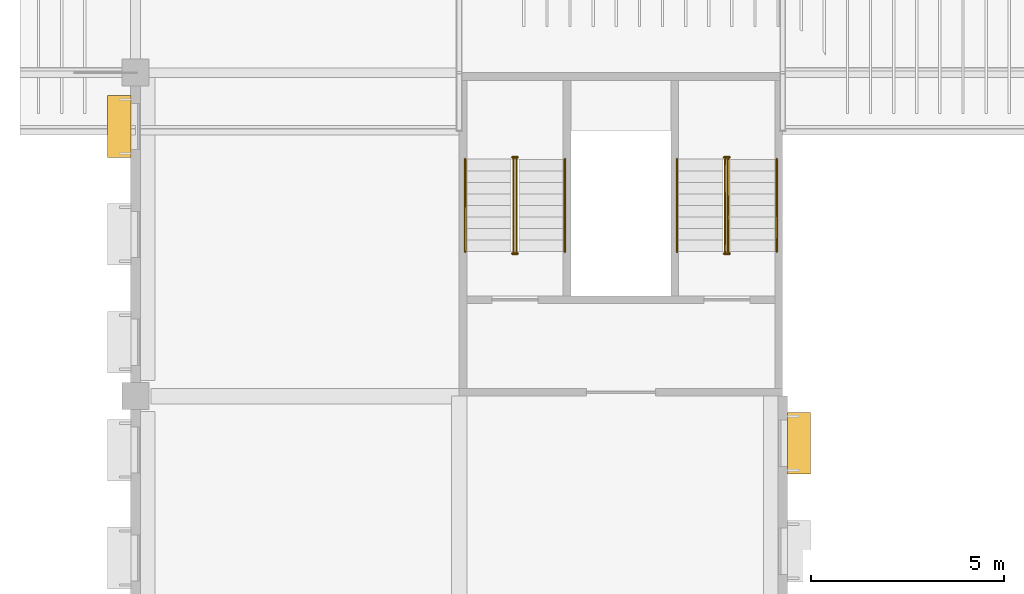
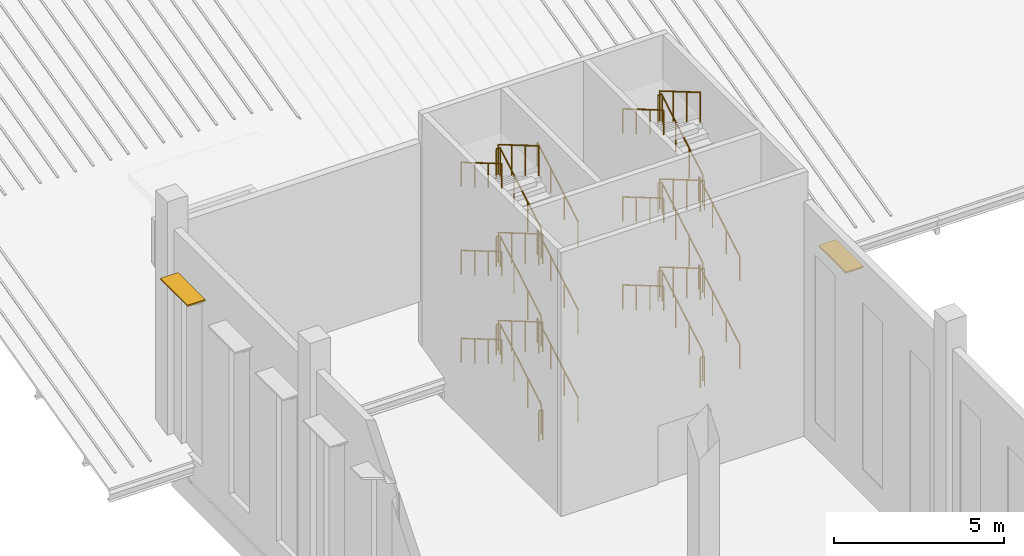
# One storey, part 95 of 114: 35 railings, 2 shading devices.
"""IFC4 building model written with IfcOpenShell, lengths in metres."""

from ifc_helpers import new_model, si_unit, direction, frame, origin, origin_2d, place, context, subcontext, project, spatial, rectangle, circle, extrude, material, material_profile, profile_set, type_object, element, save


model = new_model("IFC4")

# Units and contexts
model_context = context("Model", 3, precision=1e-05, world=origin(), true_north=direction((0.0, 1.0)))
body_context = subcontext(model_context, "Body", "Model", "MODEL_VIEW")
ifc_project = project(units=[si_unit("LENGTHUNIT", "METRE"), si_unit("AREAUNIT", "SQUARE_METRE"), si_unit("VOLUMEUNIT", "CUBIC_METRE"), si_unit("PLANEANGLEUNIT", "RADIAN"), si_unit("MASSUNIT", "GRAM", prefix="KILO")], contexts=[model_context])

# Site, building, storey
site_placement = place(None, origin())
site = spatial("IfcSite", under=ifc_project, at=site_placement, CompositionType="ELEMENT")
building_placement = place(site_placement, origin())
building = spatial("IfcBuilding", under=site, at=building_placement, Name="Almond Square Museum", CompositionType="ELEMENT")
storey_placement = place(building_placement, frame((0.0, 0.0, 10.5)))
storey = spatial("IfcBuildingStorey", under=building, at=storey_placement, Name="L02", CompositionType="ELEMENT", Elevation=10.5)

# Railings
ifc_material_1 = material(Name="Stainless steel and laminated glass", Category="steel")
railing_type_1 = type_object("IfcRailingType", Name="Stair guard 1100 steel and glass", PredefinedType="GUARDRAIL", material=ifc_material_1)
railing_1_placement = place(storey_placement, frame((15.889892578125, 70.949951171875, 0.176025390625)))
element("IfcRailing", 1, at=railing_1_placement, inside=storey, type_object=railing_type_1, Name="L02 ST-23 stair guard 1", PredefinedType="GUARDRAIL", context=body_context, shape_type="SweptSolid", body=[
    extrude(circle(Radius=0.02392578125, at=origin_2d()), frame((0.0, 0.0, 1.076171875), z_axis=(0.0, 0.862659684245, 0.505784805207), x_axis=(-1.0, 0.0, 0.0)), (0.0, 0.0, 1.0), 2.7822265625),
    extrude(circle(Radius=0.02099609375, at=origin_2d()), origin(), (0.0, 0.0, 1.0), 1.052001953125),
    extrude(circle(Radius=0.02099609375, at=origin_2d()), frame((0.0, 0.800048828125, 0.468994140625)), (0.0, 0.0, 1.0), 1.052001953125),
    extrude(circle(Radius=0.02099609375, at=origin_2d()), frame((0.0, 1.60009765625, 0.938232421875)), (0.0, 0.0, 1.0), 1.052001953125),
    extrude(circle(Radius=0.02099609375, at=origin_2d()), frame((0.0, 2.400146484375, 1.4072265625)), (0.0, 0.0, 1.0), 1.052001953125),
])
railing_2_placement = place(storey_placement, frame((15.919921875, 73.39990234375, 1.583251953125)))
element("IfcRailing", 2, at=railing_2_placement, inside=storey, type_object=railing_type_1, Name="L02 ST-23 stair guard 2", PredefinedType="GUARDRAIL", context=body_context, shape_type="SweptSolid", body=[
    extrude(circle(Radius=0.02392578125, at=origin_2d()), frame((0.0, 0.0, 1.076171875), z_axis=(-1.0, 0.0, 0.0), x_axis=(0.0, -1.0, 0.0)), (0.0, 0.0, 1.0), 0.139892578125),
    extrude(circle(Radius=0.02099609375, at=origin_2d()), origin(), (0.0, 0.0, 1.0), 1.052001953125),
    extrude(circle(Radius=0.02099609375, at=origin_2d()), frame((-0.139892578125, 0.0, 0.0)), (0.0, 0.0, 1.0), 1.052001953125),
])
railing_3_placement = place(storey_placement, frame((15.81005859375, 73.35009765625, 1.75927734375)))
element("IfcRailing", 3, at=railing_3_placement, inside=storey, type_object=railing_type_1, Name="L02 ST-23 stair guard 3", PredefinedType="GUARDRAIL", context=body_context, shape_type="SweptSolid", body=[
    extrude(circle(Radius=0.02392578125, at=origin_2d()), frame((0.0, 0.0, 1.076171875), z_axis=(0.0, -0.862621396848, 0.505850102007), x_axis=(1.0, 0.0, 0.0)), (0.0, 0.0, 1.0), 2.782470703125),
    extrude(circle(Radius=0.02099609375, at=origin_2d()), origin(), (0.0, 0.0, 1.0), 1.052001953125),
    extrude(circle(Radius=0.02099609375, at=origin_2d()), frame((0.0, -0.800048828125, 0.46923828125)), (0.0, 0.0, 1.0), 1.052001953125),
    extrude(circle(Radius=0.02099609375, at=origin_2d()), frame((0.0, -1.60009765625, 0.938232421875)), (0.0, 0.0, 1.0), 1.052001953125),
    extrude(circle(Radius=0.02099609375, at=origin_2d()), frame((0.0, -2.400146484375, 1.407470703125)), (0.0, 0.0, 1.0), 1.052001953125),
])
railing_4_placement = place(storey_placement, frame((15.919921875, 70.89990234375, 3.166748046875)))
element("IfcRailing", 4, at=railing_4_placement, inside=storey, type_object=railing_type_1, Name="L02 ST-23 stair guard 4", PredefinedType="GUARDRAIL", context=body_context, shape_type="SweptSolid", body=[
    extrude(circle(Radius=0.02392578125, at=origin_2d()), frame((0.0, 0.0, 1.076171875), z_axis=(-1.0, 0.0, 0.0), x_axis=(0.0, -1.0, 0.0)), (0.0, 0.0, 1.0), 0.139892578125),
    extrude(circle(Radius=0.02099609375, at=origin_2d()), origin(), (0.0, 0.0, 1.0), 1.052001953125),
    extrude(circle(Radius=0.02099609375, at=origin_2d()), frame((-0.139892578125, 0.0, 0.0)), (0.0, 0.0, 1.0), 1.052001953125),
])
railing_5_placement = place(storey_placement, frame((15.889892578125, 70.949951171875, 3.342529296875)))
element("IfcRailing", 5, at=railing_5_placement, inside=storey, type_object=railing_type_1, Name="L02 ST-23 stair guard 5", PredefinedType="GUARDRAIL", context=body_context, shape_type="SweptSolid", body=[
    extrude(circle(Radius=0.02392578125, at=origin_2d()), frame((0.0, 0.0, 1.076171875), z_axis=(0.0, 0.862621396848, 0.505850102007), x_axis=(-1.0, 0.0, 0.0)), (0.0, 0.0, 1.0), 2.782470703125),
    extrude(circle(Radius=0.02099609375, at=origin_2d()), origin(), (0.0, 0.0, 1.0), 1.052001953125),
    extrude(circle(Radius=0.02099609375, at=origin_2d()), frame((0.0, 0.800048828125, 0.46923828125)), (0.0, 0.0, 1.0), 1.052001953125),
    extrude(circle(Radius=0.02099609375, at=origin_2d()), frame((0.0, 1.60009765625, 0.938232421875)), (0.0, 0.0, 1.0), 1.052001953125),
    extrude(circle(Radius=0.02099609375, at=origin_2d()), frame((0.0, 2.400146484375, 1.407470703125)), (0.0, 0.0, 1.0), 1.052001953125),
])
railing_6_placement = place(storey_placement, frame((15.919921875, 73.39990234375, 4.75)))
element("IfcRailing", 6, at=railing_6_placement, inside=storey, type_object=railing_type_1, Name="L02 ST-23 stair guard 6", PredefinedType="GUARDRAIL", context=body_context, shape_type="SweptSolid", body=[
    extrude(circle(Radius=0.02392578125, at=origin_2d()), frame((0.0, 0.0, 1.076171875), z_axis=(-1.0, 0.0, 0.0), x_axis=(0.0, -1.0, 0.0)), (0.0, 0.0, 1.0), 0.139892578125),
    extrude(circle(Radius=0.02099609375, at=origin_2d()), origin(), (0.0, 0.0, 1.0), 1.052001953125),
    extrude(circle(Radius=0.02099609375, at=origin_2d()), frame((-0.139892578125, 0.0, 0.0)), (0.0, 0.0, 1.0), 1.052001953125),
])
railing_7_placement = place(storey_placement, frame((15.81005859375, 73.35009765625, 4.926025390625)))
element("IfcRailing", 7, at=railing_7_placement, inside=storey, type_object=railing_type_1, Name="L02 ST-23 stair guard 7", PredefinedType="GUARDRAIL", context=body_context, shape_type="SweptSolid", body=[
    extrude(circle(Radius=0.02392578125, at=origin_2d()), frame((0.0, 0.0, 1.076171875), z_axis=(0.0, -0.862659684245, 0.505784805207), x_axis=(1.0, 0.0, 0.0)), (0.0, 0.0, 1.0), 2.7822265625),
    extrude(circle(Radius=0.02099609375, at=origin_2d()), origin(), (0.0, 0.0, 1.0), 1.052001953125),
    extrude(circle(Radius=0.02099609375, at=origin_2d()), frame((0.0, -0.800048828125, 0.468994140625)), (0.0, 0.0, 1.0), 1.052001953125),
    extrude(circle(Radius=0.02099609375, at=origin_2d()), frame((0.0, -1.60009765625, 0.938232421875)), (0.0, 0.0, 1.0), 1.052001953125),
    extrude(circle(Radius=0.02099609375, at=origin_2d()), frame((0.0, -2.400146484375, 1.4072265625)), (0.0, 0.0, 1.0), 1.052001953125),
])
railing_8_placement = place(storey_placement, frame((15.919921875, 70.89990234375, 6.333251953125)))
element("IfcRailing", 8, at=railing_8_placement, inside=storey, type_object=railing_type_1, Name="L02 ST-23 stair guard 8", PredefinedType="GUARDRAIL", context=body_context, shape_type="SweptSolid", body=[
    extrude(circle(Radius=0.02392578125, at=origin_2d()), frame((0.0, 0.0, 1.076171875), z_axis=(-1.0, 0.0, 0.0), x_axis=(0.0, -1.0, 0.0)), (0.0, 0.0, 1.0), 0.139892578125),
    extrude(circle(Radius=0.02099609375, at=origin_2d()), origin(), (0.0, 0.0, 1.0), 1.052001953125),
    extrude(circle(Radius=0.02099609375, at=origin_2d()), frame((-0.139892578125, 0.0, 0.0)), (0.0, 0.0, 1.0), 1.052001953125),
])
railing_9_placement = place(storey_placement, frame((15.889892578125, 70.949951171875, 6.50927734375)))
element("IfcRailing", 9, at=railing_9_placement, inside=storey, type_object=railing_type_1, Name="L02 ST-23 stair guard 9", PredefinedType="GUARDRAIL", context=body_context, shape_type="SweptSolid", body=[
    extrude(circle(Radius=0.02392578125, at=origin_2d()), frame((0.0, 0.0, 1.076171875), z_axis=(0.0, 0.862621396848, 0.505850102007), x_axis=(-1.0, 0.0, 0.0)), (0.0, 0.0, 1.0), 2.782470703125),
    extrude(circle(Radius=0.02099609375, at=origin_2d()), origin(), (0.0, 0.0, 1.0), 1.052001953125),
    extrude(circle(Radius=0.02099609375, at=origin_2d()), frame((0.0, 0.800048828125, 0.46923828125)), (0.0, 0.0, 1.0), 1.052001953125),
    extrude(circle(Radius=0.02099609375, at=origin_2d()), frame((0.0, 1.60009765625, 0.938232421875)), (0.0, 0.0, 1.0), 1.052001953125),
    extrude(circle(Radius=0.02099609375, at=origin_2d()), frame((0.0, 2.400146484375, 1.407470703125)), (0.0, 0.0, 1.0), 1.052001953125),
])
railing_10_placement = place(storey_placement, frame((15.919921875, 73.39990234375, 7.916748046875)))
element("IfcRailing", 10, at=railing_10_placement, inside=storey, type_object=railing_type_1, Name="L02 ST-23 stair guard 10", PredefinedType="GUARDRAIL", context=body_context, shape_type="SweptSolid", body=[
    extrude(circle(Radius=0.02392578125, at=origin_2d()), frame((0.0, 0.0, 1.076171875), z_axis=(-1.0, 0.0, 0.0), x_axis=(0.0, -1.0, 0.0)), (0.0, 0.0, 1.0), 0.139892578125),
    extrude(circle(Radius=0.02099609375, at=origin_2d()), origin(), (0.0, 0.0, 1.0), 1.052001953125),
    extrude(circle(Radius=0.02099609375, at=origin_2d()), frame((-0.139892578125, 0.0, 0.0)), (0.0, 0.0, 1.0), 1.052001953125),
])
railing_11_placement = place(storey_placement, frame((15.81005859375, 73.35009765625, 8.092529296875)))
element("IfcRailing", 11, at=railing_11_placement, inside=storey, type_object=railing_type_1, Name="L02 ST-23 stair guard 11", PredefinedType="GUARDRAIL", context=body_context, shape_type="SweptSolid", body=[
    extrude(circle(Radius=0.02392578125, at=origin_2d()), frame((0.0, 0.0, 1.076171875), z_axis=(0.0, -0.862621396848, 0.505850102007), x_axis=(1.0, 0.0, 0.0)), (0.0, 0.0, 1.0), 2.782470703125),
    extrude(circle(Radius=0.02099609375, at=origin_2d()), origin(), (0.0, 0.0, 1.0), 1.052001953125),
    extrude(circle(Radius=0.02099609375, at=origin_2d()), frame((0.0, -0.800048828125, 0.46923828125)), (0.0, 0.0, 1.0), 1.052001953125),
    extrude(circle(Radius=0.02099609375, at=origin_2d()), frame((0.0, -1.60009765625, 0.938232421875)), (0.0, 0.0, 1.0), 1.052001953125),
    extrude(circle(Radius=0.02099609375, at=origin_2d()), frame((0.0, -2.400146484375, 1.407470703125)), (0.0, 0.0, 1.0), 1.052001953125),
])
railing_12_placement = place(storey_placement, frame((15.919921875, 70.89990234375, 0.0)))
element("IfcRailing", 12, at=railing_12_placement, inside=storey, type_object=railing_type_1, Name="L02 ST-23 stair guard 12", PredefinedType="GUARDRAIL", context=body_context, shape_type="SweptSolid", body=[
    extrude(circle(Radius=0.02392578125, at=origin_2d()), frame((0.0, 0.0, 1.076171875), z_axis=(-1.0, 0.0, 0.0), x_axis=(0.0, -1.0, 0.0)), (0.0, 0.0, 1.0), 0.139892578125),
    extrude(circle(Radius=0.02099609375, at=origin_2d()), origin(), (0.0, 0.0, 1.0), 1.052001953125),
    extrude(circle(Radius=0.02099609375, at=origin_2d()), frame((-0.139892578125, 0.0, 0.0)), (0.0, 0.0, 1.0), 1.052001953125),
])
railing_13_placement = place(storey_placement, frame((21.389892578125, 70.949951171875, 0.176025390625)))
element("IfcRailing", 13, at=railing_13_placement, inside=storey, type_object=railing_type_1, Name="L02 ST-24 stair guard 1", PredefinedType="GUARDRAIL", context=body_context, shape_type="SweptSolid", body=[
    extrude(circle(Radius=0.02392578125, at=origin_2d()), frame((0.0, 0.0, 1.076171875), z_axis=(0.0, 0.862659684245, 0.505784805207), x_axis=(-1.0, 0.0, 0.0)), (0.0, 0.0, 1.0), 2.7822265625),
    extrude(circle(Radius=0.02099609375, at=origin_2d()), origin(), (0.0, 0.0, 1.0), 1.052001953125),
    extrude(circle(Radius=0.02099609375, at=origin_2d()), frame((0.0, 0.800048828125, 0.468994140625)), (0.0, 0.0, 1.0), 1.052001953125),
    extrude(circle(Radius=0.02099609375, at=origin_2d()), frame((0.0, 1.60009765625, 0.938232421875)), (0.0, 0.0, 1.0), 1.052001953125),
    extrude(circle(Radius=0.02099609375, at=origin_2d()), frame((0.0, 2.400146484375, 1.4072265625)), (0.0, 0.0, 1.0), 1.052001953125),
])
railing_14_placement = place(storey_placement, frame((21.419921875, 73.39990234375, 1.583251953125)))
element("IfcRailing", 14, at=railing_14_placement, inside=storey, type_object=railing_type_1, Name="L02 ST-24 stair guard 2", PredefinedType="GUARDRAIL", context=body_context, shape_type="SweptSolid", body=[
    extrude(circle(Radius=0.02392578125, at=origin_2d()), frame((0.0, 0.0, 1.076171875), z_axis=(-1.0, 0.0, 0.0), x_axis=(0.0, -1.0, 0.0)), (0.0, 0.0, 1.0), 0.139892578125),
    extrude(circle(Radius=0.02099609375, at=origin_2d()), origin(), (0.0, 0.0, 1.0), 1.052001953125),
    extrude(circle(Radius=0.02099609375, at=origin_2d()), frame((-0.139892578125, 0.0, 0.0)), (0.0, 0.0, 1.0), 1.052001953125),
])
railing_15_placement = place(storey_placement, frame((21.31005859375, 73.35009765625, 1.75927734375)))
element("IfcRailing", 15, at=railing_15_placement, inside=storey, type_object=railing_type_1, Name="L02 ST-24 stair guard 3", PredefinedType="GUARDRAIL", context=body_context, shape_type="SweptSolid", body=[
    extrude(circle(Radius=0.02392578125, at=origin_2d()), frame((0.0, 0.0, 1.076171875), z_axis=(0.0, -0.862621396848, 0.505850102007), x_axis=(1.0, 0.0, 0.0)), (0.0, 0.0, 1.0), 2.782470703125),
    extrude(circle(Radius=0.02099609375, at=origin_2d()), origin(), (0.0, 0.0, 1.0), 1.052001953125),
    extrude(circle(Radius=0.02099609375, at=origin_2d()), frame((0.0, -0.800048828125, 0.46923828125)), (0.0, 0.0, 1.0), 1.052001953125),
    extrude(circle(Radius=0.02099609375, at=origin_2d()), frame((0.0, -1.60009765625, 0.938232421875)), (0.0, 0.0, 1.0), 1.052001953125),
    extrude(circle(Radius=0.02099609375, at=origin_2d()), frame((0.0, -2.400146484375, 1.407470703125)), (0.0, 0.0, 1.0), 1.052001953125),
])
railing_16_placement = place(storey_placement, frame((21.419921875, 70.89990234375, 3.166748046875)))
element("IfcRailing", 16, at=railing_16_placement, inside=storey, type_object=railing_type_1, Name="L02 ST-24 stair guard 4", PredefinedType="GUARDRAIL", context=body_context, shape_type="SweptSolid", body=[
    extrude(circle(Radius=0.02392578125, at=origin_2d()), frame((0.0, 0.0, 1.076171875), z_axis=(-1.0, 0.0, 0.0), x_axis=(0.0, -1.0, 0.0)), (0.0, 0.0, 1.0), 0.139892578125),
    extrude(circle(Radius=0.02099609375, at=origin_2d()), origin(), (0.0, 0.0, 1.0), 1.052001953125),
    extrude(circle(Radius=0.02099609375, at=origin_2d()), frame((-0.139892578125, 0.0, 0.0)), (0.0, 0.0, 1.0), 1.052001953125),
])
railing_17_placement = place(storey_placement, frame((21.389892578125, 70.949951171875, 3.342529296875)))
element("IfcRailing", 17, at=railing_17_placement, inside=storey, type_object=railing_type_1, Name="L02 ST-24 stair guard 5", PredefinedType="GUARDRAIL", context=body_context, shape_type="SweptSolid", body=[
    extrude(circle(Radius=0.02392578125, at=origin_2d()), frame((0.0, 0.0, 1.076171875), z_axis=(0.0, 0.862621396848, 0.505850102007), x_axis=(-1.0, 0.0, 0.0)), (0.0, 0.0, 1.0), 2.782470703125),
    extrude(circle(Radius=0.02099609375, at=origin_2d()), origin(), (0.0, 0.0, 1.0), 1.052001953125),
    extrude(circle(Radius=0.02099609375, at=origin_2d()), frame((0.0, 0.800048828125, 0.46923828125)), (0.0, 0.0, 1.0), 1.052001953125),
    extrude(circle(Radius=0.02099609375, at=origin_2d()), frame((0.0, 1.60009765625, 0.938232421875)), (0.0, 0.0, 1.0), 1.052001953125),
    extrude(circle(Radius=0.02099609375, at=origin_2d()), frame((0.0, 2.400146484375, 1.407470703125)), (0.0, 0.0, 1.0), 1.052001953125),
])
railing_18_placement = place(storey_placement, frame((21.419921875, 73.39990234375, 4.75)))
element("IfcRailing", 18, at=railing_18_placement, inside=storey, type_object=railing_type_1, Name="L02 ST-24 stair guard 6", PredefinedType="GUARDRAIL", context=body_context, shape_type="SweptSolid", body=[
    extrude(circle(Radius=0.02392578125, at=origin_2d()), frame((0.0, 0.0, 1.076171875), z_axis=(-1.0, 0.0, 0.0), x_axis=(0.0, -1.0, 0.0)), (0.0, 0.0, 1.0), 0.139892578125),
    extrude(circle(Radius=0.02099609375, at=origin_2d()), origin(), (0.0, 0.0, 1.0), 1.052001953125),
    extrude(circle(Radius=0.02099609375, at=origin_2d()), frame((-0.139892578125, 0.0, 0.0)), (0.0, 0.0, 1.0), 1.052001953125),
])
railing_19_placement = place(storey_placement, frame((21.31005859375, 73.35009765625, 4.926025390625)))
element("IfcRailing", 19, at=railing_19_placement, inside=storey, type_object=railing_type_1, Name="L02 ST-24 stair guard 7", PredefinedType="GUARDRAIL", context=body_context, shape_type="SweptSolid", body=[
    extrude(circle(Radius=0.02392578125, at=origin_2d()), frame((0.0, 0.0, 1.076171875), z_axis=(0.0, -0.862659684245, 0.505784805207), x_axis=(1.0, 0.0, 0.0)), (0.0, 0.0, 1.0), 2.7822265625),
    extrude(circle(Radius=0.02099609375, at=origin_2d()), origin(), (0.0, 0.0, 1.0), 1.052001953125),
    extrude(circle(Radius=0.02099609375, at=origin_2d()), frame((0.0, -0.800048828125, 0.468994140625)), (0.0, 0.0, 1.0), 1.052001953125),
    extrude(circle(Radius=0.02099609375, at=origin_2d()), frame((0.0, -1.60009765625, 0.938232421875)), (0.0, 0.0, 1.0), 1.052001953125),
    extrude(circle(Radius=0.02099609375, at=origin_2d()), frame((0.0, -2.400146484375, 1.4072265625)), (0.0, 0.0, 1.0), 1.052001953125),
])
railing_20_placement = place(storey_placement, frame((21.419921875, 70.89990234375, 6.333251953125)))
element("IfcRailing", 20, at=railing_20_placement, inside=storey, type_object=railing_type_1, Name="L02 ST-24 stair guard 8", PredefinedType="GUARDRAIL", context=body_context, shape_type="SweptSolid", body=[
    extrude(circle(Radius=0.02392578125, at=origin_2d()), frame((0.0, 0.0, 1.076171875), z_axis=(-1.0, 0.0, 0.0), x_axis=(0.0, -1.0, 0.0)), (0.0, 0.0, 1.0), 0.139892578125),
    extrude(circle(Radius=0.02099609375, at=origin_2d()), origin(), (0.0, 0.0, 1.0), 1.052001953125),
    extrude(circle(Radius=0.02099609375, at=origin_2d()), frame((-0.139892578125, 0.0, 0.0)), (0.0, 0.0, 1.0), 1.052001953125),
])
railing_21_placement = place(storey_placement, frame((21.389892578125, 70.949951171875, 6.50927734375)))
element("IfcRailing", 21, at=railing_21_placement, inside=storey, type_object=railing_type_1, Name="L02 ST-24 stair guard 9", PredefinedType="GUARDRAIL", context=body_context, shape_type="SweptSolid", body=[
    extrude(circle(Radius=0.02392578125, at=origin_2d()), frame((0.0, 0.0, 1.076171875), z_axis=(0.0, 0.862621396848, 0.505850102007), x_axis=(-1.0, 0.0, 0.0)), (0.0, 0.0, 1.0), 2.782470703125),
    extrude(circle(Radius=0.02099609375, at=origin_2d()), origin(), (0.0, 0.0, 1.0), 1.052001953125),
    extrude(circle(Radius=0.02099609375, at=origin_2d()), frame((0.0, 0.800048828125, 0.46923828125)), (0.0, 0.0, 1.0), 1.052001953125),
    extrude(circle(Radius=0.02099609375, at=origin_2d()), frame((0.0, 1.60009765625, 0.938232421875)), (0.0, 0.0, 1.0), 1.052001953125),
    extrude(circle(Radius=0.02099609375, at=origin_2d()), frame((0.0, 2.400146484375, 1.407470703125)), (0.0, 0.0, 1.0), 1.052001953125),
])
railing_22_placement = place(storey_placement, frame((21.419921875, 73.39990234375, 7.916748046875)))
element("IfcRailing", 22, at=railing_22_placement, inside=storey, type_object=railing_type_1, Name="L02 ST-24 stair guard 10", PredefinedType="GUARDRAIL", context=body_context, shape_type="SweptSolid", body=[
    extrude(circle(Radius=0.02392578125, at=origin_2d()), frame((0.0, 0.0, 1.076171875), z_axis=(-1.0, 0.0, 0.0), x_axis=(0.0, -1.0, 0.0)), (0.0, 0.0, 1.0), 0.139892578125),
    extrude(circle(Radius=0.02099609375, at=origin_2d()), origin(), (0.0, 0.0, 1.0), 1.052001953125),
    extrude(circle(Radius=0.02099609375, at=origin_2d()), frame((-0.139892578125, 0.0, 0.0)), (0.0, 0.0, 1.0), 1.052001953125),
])
railing_23_placement = place(storey_placement, frame((21.31005859375, 73.35009765625, 8.092529296875)))
element("IfcRailing", 23, at=railing_23_placement, inside=storey, type_object=railing_type_1, Name="L02 ST-24 stair guard 11", PredefinedType="GUARDRAIL", context=body_context, shape_type="SweptSolid", body=[
    extrude(circle(Radius=0.02392578125, at=origin_2d()), frame((0.0, 0.0, 1.076171875), z_axis=(0.0, -0.862621396848, 0.505850102007), x_axis=(1.0, 0.0, 0.0)), (0.0, 0.0, 1.0), 2.782470703125),
    extrude(circle(Radius=0.02099609375, at=origin_2d()), origin(), (0.0, 0.0, 1.0), 1.052001953125),
    extrude(circle(Radius=0.02099609375, at=origin_2d()), frame((0.0, -0.800048828125, 0.46923828125)), (0.0, 0.0, 1.0), 1.052001953125),
    extrude(circle(Radius=0.02099609375, at=origin_2d()), frame((0.0, -1.60009765625, 0.938232421875)), (0.0, 0.0, 1.0), 1.052001953125),
    extrude(circle(Radius=0.02099609375, at=origin_2d()), frame((0.0, -2.400146484375, 1.407470703125)), (0.0, 0.0, 1.0), 1.052001953125),
])
railing_24_placement = place(storey_placement, frame((21.419921875, 70.89990234375, 0.0)))
element("IfcRailing", 24, at=railing_24_placement, inside=storey, type_object=railing_type_1, Name="L02 ST-24 stair guard 12", PredefinedType="GUARDRAIL", context=body_context, shape_type="SweptSolid", body=[
    extrude(circle(Radius=0.02392578125, at=origin_2d()), frame((0.0, 0.0, 1.076171875), z_axis=(-1.0, 0.0, 0.0), x_axis=(0.0, -1.0, 0.0)), (0.0, 0.0, 1.0), 0.139892578125),
    extrude(circle(Radius=0.02099609375, at=origin_2d()), origin(), (0.0, 0.0, 1.0), 1.052001953125),
    extrude(circle(Radius=0.02099609375, at=origin_2d()), frame((-0.139892578125, 0.0, 0.0)), (0.0, 0.0, 1.0), 1.052001953125),
])
ifc_material_2 = material(Name="Stainless steel", Category="steel")
railing_type_2 = type_object("IfcRailingType", Name="Stair handrail 900 steel", PredefinedType="HANDRAIL", material=ifc_material_2)
railing_25_placement = place(storey_placement, frame((17.14501953125, 70.949951171875, 0.176025390625)))
element("IfcRailing", 25, at=railing_25_placement, inside=storey, type_object=railing_type_2, Name="L02 ST-23 stair handrail 1", PredefinedType="HANDRAIL", context=body_context, shape_type="SweptSolid", body=[
    extrude(circle(Radius=0.02392578125, at=origin_2d()), frame((0.0, 0.0, 0.8759765625), z_axis=(0.0, 0.862659684245, 0.505784805207), x_axis=(-1.0, 0.0, 0.0)), (0.0, 0.0, 1.0), 2.7822265625),
    extrude(circle(Radius=0.02099609375, at=origin_2d()), origin(), (0.0, 0.0, 1.0), 0.851806640625),
    extrude(circle(Radius=0.02099609375, at=origin_2d()), frame((0.0, 0.800048828125, 0.468994140625)), (0.0, 0.0, 1.0), 0.851806640625),
    extrude(circle(Radius=0.02099609375, at=origin_2d()), frame((0.0, 1.60009765625, 0.938232421875)), (0.0, 0.0, 1.0), 0.851806640625),
    extrude(circle(Radius=0.02099609375, at=origin_2d()), frame((0.0, 2.400146484375, 1.4072265625)), (0.0, 0.0, 1.0), 0.851806640625),
])
railing_26_placement = place(storey_placement, frame((14.554931640625, 73.35009765625, 1.75927734375)))
element("IfcRailing", 26, at=railing_26_placement, inside=storey, type_object=railing_type_2, Name="L02 ST-23 stair handrail 2", PredefinedType="HANDRAIL", context=body_context, shape_type="SweptSolid", body=[
    extrude(circle(Radius=0.02392578125, at=origin_2d()), frame((0.0, 0.0, 0.8759765625), z_axis=(0.0, -0.862621396848, 0.505850102007), x_axis=(1.0, 0.0, 0.0)), (0.0, 0.0, 1.0), 2.782470703125),
    extrude(circle(Radius=0.02099609375, at=origin_2d()), origin(), (0.0, 0.0, 1.0), 0.851806640625),
    extrude(circle(Radius=0.02099609375, at=origin_2d()), frame((0.0, -0.800048828125, 0.46923828125)), (0.0, 0.0, 1.0), 0.851806640625),
    extrude(circle(Radius=0.02099609375, at=origin_2d()), frame((0.0, -1.60009765625, 0.938232421875)), (0.0, 0.0, 1.0), 0.851806640625),
    extrude(circle(Radius=0.02099609375, at=origin_2d()), frame((0.0, -2.400146484375, 1.407470703125)), (0.0, 0.0, 1.0), 0.851806640625),
])
railing_27_placement = place(storey_placement, frame((17.14501953125, 70.949951171875, 3.342529296875)))
element("IfcRailing", 27, at=railing_27_placement, inside=storey, type_object=railing_type_2, Name="L02 ST-23 stair handrail 3", PredefinedType="HANDRAIL", context=body_context, shape_type="SweptSolid", body=[
    extrude(circle(Radius=0.02392578125, at=origin_2d()), frame((0.0, 0.0, 0.8759765625), z_axis=(0.0, 0.862621396848, 0.505850102007), x_axis=(-1.0, 0.0, 0.0)), (0.0, 0.0, 1.0), 2.782470703125),
    extrude(circle(Radius=0.02099609375, at=origin_2d()), origin(), (0.0, 0.0, 1.0), 0.851806640625),
    extrude(circle(Radius=0.02099609375, at=origin_2d()), frame((0.0, 0.800048828125, 0.46923828125)), (0.0, 0.0, 1.0), 0.851806640625),
    extrude(circle(Radius=0.02099609375, at=origin_2d()), frame((0.0, 1.60009765625, 0.938232421875)), (0.0, 0.0, 1.0), 0.851806640625),
    extrude(circle(Radius=0.02099609375, at=origin_2d()), frame((0.0, 2.400146484375, 1.407470703125)), (0.0, 0.0, 1.0), 0.851806640625),
])
railing_28_placement = place(storey_placement, frame((14.554931640625, 73.35009765625, 4.926025390625)))
element("IfcRailing", 28, at=railing_28_placement, inside=storey, type_object=railing_type_2, Name="L02 ST-23 stair handrail 4", PredefinedType="HANDRAIL", context=body_context, shape_type="SweptSolid", body=[
    extrude(circle(Radius=0.02392578125, at=origin_2d()), frame((0.0, 0.0, 0.8759765625), z_axis=(0.0, -0.862659684245, 0.505784805207), x_axis=(1.0, 0.0, 0.0)), (0.0, 0.0, 1.0), 2.7822265625),
    extrude(circle(Radius=0.02099609375, at=origin_2d()), origin(), (0.0, 0.0, 1.0), 0.851806640625),
    extrude(circle(Radius=0.02099609375, at=origin_2d()), frame((0.0, -0.800048828125, 0.468994140625)), (0.0, 0.0, 1.0), 0.851806640625),
    extrude(circle(Radius=0.02099609375, at=origin_2d()), frame((0.0, -1.60009765625, 0.938232421875)), (0.0, 0.0, 1.0), 0.851806640625),
    extrude(circle(Radius=0.02099609375, at=origin_2d()), frame((0.0, -2.400146484375, 1.4072265625)), (0.0, 0.0, 1.0), 0.851806640625),
])
railing_29_placement = place(storey_placement, frame((17.14501953125, 70.949951171875, 6.50927734375)))
element("IfcRailing", 29, at=railing_29_placement, inside=storey, type_object=railing_type_2, Name="L02 ST-23 stair handrail 5", PredefinedType="HANDRAIL", context=body_context, shape_type="SweptSolid", body=[
    extrude(circle(Radius=0.02392578125, at=origin_2d()), frame((0.0, 0.0, 0.8759765625), z_axis=(0.0, 0.862621396848, 0.505850102007), x_axis=(-1.0, 0.0, 0.0)), (0.0, 0.0, 1.0), 2.782470703125),
    extrude(circle(Radius=0.02099609375, at=origin_2d()), origin(), (0.0, 0.0, 1.0), 0.851806640625),
    extrude(circle(Radius=0.02099609375, at=origin_2d()), frame((0.0, 0.800048828125, 0.46923828125)), (0.0, 0.0, 1.0), 0.851806640625),
    extrude(circle(Radius=0.02099609375, at=origin_2d()), frame((0.0, 1.60009765625, 0.938232421875)), (0.0, 0.0, 1.0), 0.851806640625),
    extrude(circle(Radius=0.02099609375, at=origin_2d()), frame((0.0, 2.400146484375, 1.407470703125)), (0.0, 0.0, 1.0), 0.851806640625),
])
railing_30_placement = place(storey_placement, frame((14.554931640625, 73.35009765625, 8.092529296875)))
element("IfcRailing", 30, at=railing_30_placement, inside=storey, type_object=railing_type_2, Name="L02 ST-23 stair handrail 6", PredefinedType="HANDRAIL", context=body_context, shape_type="SweptSolid", body=[
    extrude(circle(Radius=0.02392578125, at=origin_2d()), frame((0.0, 0.0, 0.8759765625), z_axis=(0.0, -0.862621396848, 0.505850102007), x_axis=(1.0, 0.0, 0.0)), (0.0, 0.0, 1.0), 2.782470703125),
    extrude(circle(Radius=0.02099609375, at=origin_2d()), origin(), (0.0, 0.0, 1.0), 0.851806640625),
    extrude(circle(Radius=0.02099609375, at=origin_2d()), frame((0.0, -0.800048828125, 0.46923828125)), (0.0, 0.0, 1.0), 0.851806640625),
    extrude(circle(Radius=0.02099609375, at=origin_2d()), frame((0.0, -1.60009765625, 0.938232421875)), (0.0, 0.0, 1.0), 0.851806640625),
    extrude(circle(Radius=0.02099609375, at=origin_2d()), frame((0.0, -2.400146484375, 1.407470703125)), (0.0, 0.0, 1.0), 0.851806640625),
])
railing_31_placement = place(storey_placement, frame((22.64501953125, 70.949951171875, 0.176025390625)))
element("IfcRailing", 31, at=railing_31_placement, inside=storey, type_object=railing_type_2, Name="L02 ST-24 stair handrail 1", PredefinedType="HANDRAIL", context=body_context, shape_type="SweptSolid", body=[
    extrude(circle(Radius=0.02392578125, at=origin_2d()), frame((0.0, 0.0, 0.8759765625), z_axis=(0.0, 0.862659684245, 0.505784805207), x_axis=(-1.0, 0.0, 0.0)), (0.0, 0.0, 1.0), 2.7822265625),
    extrude(circle(Radius=0.02099609375, at=origin_2d()), origin(), (0.0, 0.0, 1.0), 0.851806640625),
    extrude(circle(Radius=0.02099609375, at=origin_2d()), frame((0.0, 0.800048828125, 0.468994140625)), (0.0, 0.0, 1.0), 0.851806640625),
    extrude(circle(Radius=0.02099609375, at=origin_2d()), frame((0.0, 1.60009765625, 0.938232421875)), (0.0, 0.0, 1.0), 0.851806640625),
    extrude(circle(Radius=0.02099609375, at=origin_2d()), frame((0.0, 2.400146484375, 1.4072265625)), (0.0, 0.0, 1.0), 0.851806640625),
])
railing_32_placement = place(storey_placement, frame((20.054931640625, 73.35009765625, 1.75927734375)))
element("IfcRailing", 32, at=railing_32_placement, inside=storey, type_object=railing_type_2, Name="L02 ST-24 stair handrail 2", PredefinedType="HANDRAIL", context=body_context, shape_type="SweptSolid", body=[
    extrude(circle(Radius=0.02392578125, at=origin_2d()), frame((0.0, 0.0, 0.8759765625), z_axis=(0.0, -0.862621396848, 0.505850102007), x_axis=(1.0, 0.0, 0.0)), (0.0, 0.0, 1.0), 2.782470703125),
    extrude(circle(Radius=0.02099609375, at=origin_2d()), origin(), (0.0, 0.0, 1.0), 0.851806640625),
    extrude(circle(Radius=0.02099609375, at=origin_2d()), frame((0.0, -0.800048828125, 0.46923828125)), (0.0, 0.0, 1.0), 0.851806640625),
    extrude(circle(Radius=0.02099609375, at=origin_2d()), frame((0.0, -1.60009765625, 0.938232421875)), (0.0, 0.0, 1.0), 0.851806640625),
    extrude(circle(Radius=0.02099609375, at=origin_2d()), frame((0.0, -2.400146484375, 1.407470703125)), (0.0, 0.0, 1.0), 0.851806640625),
])
railing_33_placement = place(storey_placement, frame((22.64501953125, 70.949951171875, 3.342529296875)))
element("IfcRailing", 33, at=railing_33_placement, inside=storey, type_object=railing_type_2, Name="L02 ST-24 stair handrail 3", PredefinedType="HANDRAIL", context=body_context, shape_type="SweptSolid", body=[
    extrude(circle(Radius=0.02392578125, at=origin_2d()), frame((0.0, 0.0, 0.8759765625), z_axis=(0.0, 0.862621396848, 0.505850102007), x_axis=(-1.0, 0.0, 0.0)), (0.0, 0.0, 1.0), 2.782470703125),
    extrude(circle(Radius=0.02099609375, at=origin_2d()), origin(), (0.0, 0.0, 1.0), 0.851806640625),
    extrude(circle(Radius=0.02099609375, at=origin_2d()), frame((0.0, 0.800048828125, 0.46923828125)), (0.0, 0.0, 1.0), 0.851806640625),
    extrude(circle(Radius=0.02099609375, at=origin_2d()), frame((0.0, 1.60009765625, 0.938232421875)), (0.0, 0.0, 1.0), 0.851806640625),
    extrude(circle(Radius=0.02099609375, at=origin_2d()), frame((0.0, 2.400146484375, 1.407470703125)), (0.0, 0.0, 1.0), 0.851806640625),
])
railing_34_placement = place(storey_placement, frame((20.054931640625, 73.35009765625, 4.926025390625)))
element("IfcRailing", 34, at=railing_34_placement, inside=storey, type_object=railing_type_2, Name="L02 ST-24 stair handrail 4", PredefinedType="HANDRAIL", context=body_context, shape_type="SweptSolid", body=[
    extrude(circle(Radius=0.02392578125, at=origin_2d()), frame((0.0, 0.0, 0.8759765625), z_axis=(0.0, -0.862659684245, 0.505784805207), x_axis=(1.0, 0.0, 0.0)), (0.0, 0.0, 1.0), 2.7822265625),
    extrude(circle(Radius=0.02099609375, at=origin_2d()), origin(), (0.0, 0.0, 1.0), 0.851806640625),
    extrude(circle(Radius=0.02099609375, at=origin_2d()), frame((0.0, -0.800048828125, 0.468994140625)), (0.0, 0.0, 1.0), 0.851806640625),
    extrude(circle(Radius=0.02099609375, at=origin_2d()), frame((0.0, -1.60009765625, 0.938232421875)), (0.0, 0.0, 1.0), 0.851806640625),
    extrude(circle(Radius=0.02099609375, at=origin_2d()), frame((0.0, -2.400146484375, 1.4072265625)), (0.0, 0.0, 1.0), 0.851806640625),
])
railing_35_placement = place(storey_placement, frame((20.054931640625, 73.35009765625, 8.092529296875)))
element("IfcRailing", 35, at=railing_35_placement, inside=storey, type_object=railing_type_2, Name="L02 ST-24 stair handrail 6", PredefinedType="HANDRAIL", context=body_context, shape_type="SweptSolid", body=[
    extrude(circle(Radius=0.02392578125, at=origin_2d()), frame((0.0, 0.0, 0.8759765625), z_axis=(0.0, -0.862621396848, 0.505850102007), x_axis=(1.0, 0.0, 0.0)), (0.0, 0.0, 1.0), 2.782470703125),
    extrude(circle(Radius=0.02099609375, at=origin_2d()), origin(), (0.0, 0.0, 1.0), 0.851806640625),
    extrude(circle(Radius=0.02099609375, at=origin_2d()), frame((0.0, -0.800048828125, 0.46923828125)), (0.0, 0.0, 1.0), 0.851806640625),
    extrude(circle(Radius=0.02099609375, at=origin_2d()), frame((0.0, -1.60009765625, 0.938232421875)), (0.0, 0.0, 1.0), 0.851806640625),
    extrude(circle(Radius=0.02099609375, at=origin_2d()), frame((0.0, -2.400146484375, 1.407470703125)), (0.0, 0.0, 1.0), 0.851806640625),
])

# Shading devices
ifc_material_3 = material(Name="Anodised aluminium", Category="aluminium")
ifc_material_profile = material_profile(ifc_material_3, rectangle(XDim=0.60009765625, YDim=0.050048828125, at=origin_2d()))
ifc_profile_set = profile_set([ifc_material_profile], Name="Anodised aluminium")
shading_device_type = type_object("IfcShadingDeviceType", Name="Sun-shade blade 600 x 50", PredefinedType="USERDEFINED", material=ifc_profile_set)
shading_device_1_placement = place(storey_placement, frame((23.222900390625, 65.175048828125, 7.02001953125), z_axis=(0.0, 1.0, 0.0), x_axis=(-1.0, 0.0, 0.0)))
element("IfcShadingDevice", 36, at=shading_device_1_placement, inside=storey, type_object=shading_device_type, Name="Sun-shade blade", ObjectType="LOUVRE", PredefinedType="USERDEFINED", context=body_context, shape_type="SweptSolid", body=[
    extrude(rectangle(XDim=0.60009765625, YDim=0.050048828125, at=origin_2d()), origin(), (0.0, 0.0, 1.0), 1.599853515625),
])
shading_device_2_placement = place(storey_placement, frame((5.576904296875, 73.39990234375, 7.02001953125), z_axis=(0.0, 1.0, 0.0), x_axis=(-1.0, 0.0, 0.0)))
element("IfcShadingDevice", 37, at=shading_device_2_placement, inside=storey, type_object=shading_device_type, Name="Sun-shade blade", ObjectType="LOUVRE", PredefinedType="USERDEFINED", context=body_context, shape_type="SweptSolid", body=[
    extrude(rectangle(XDim=0.60009765625, YDim=0.050048828125, at=origin_2d()), origin(), (0.0, 0.0, 1.0), 1.60009765625),
])

save(model, "model.ifc")
